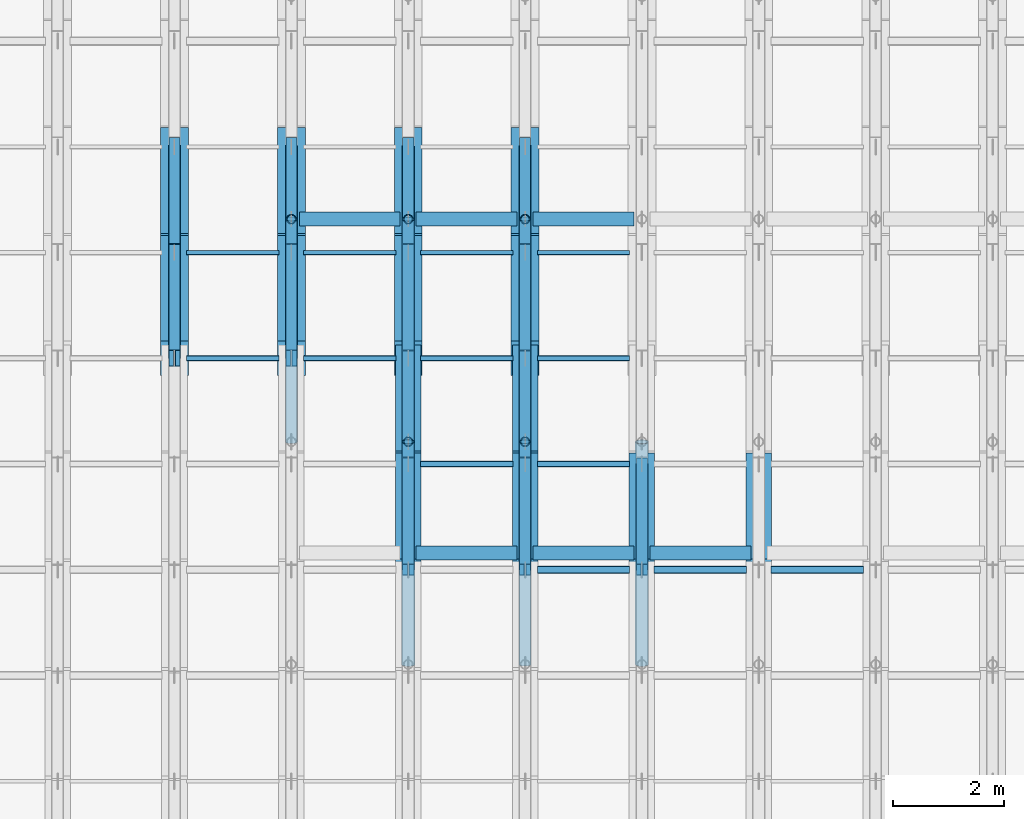
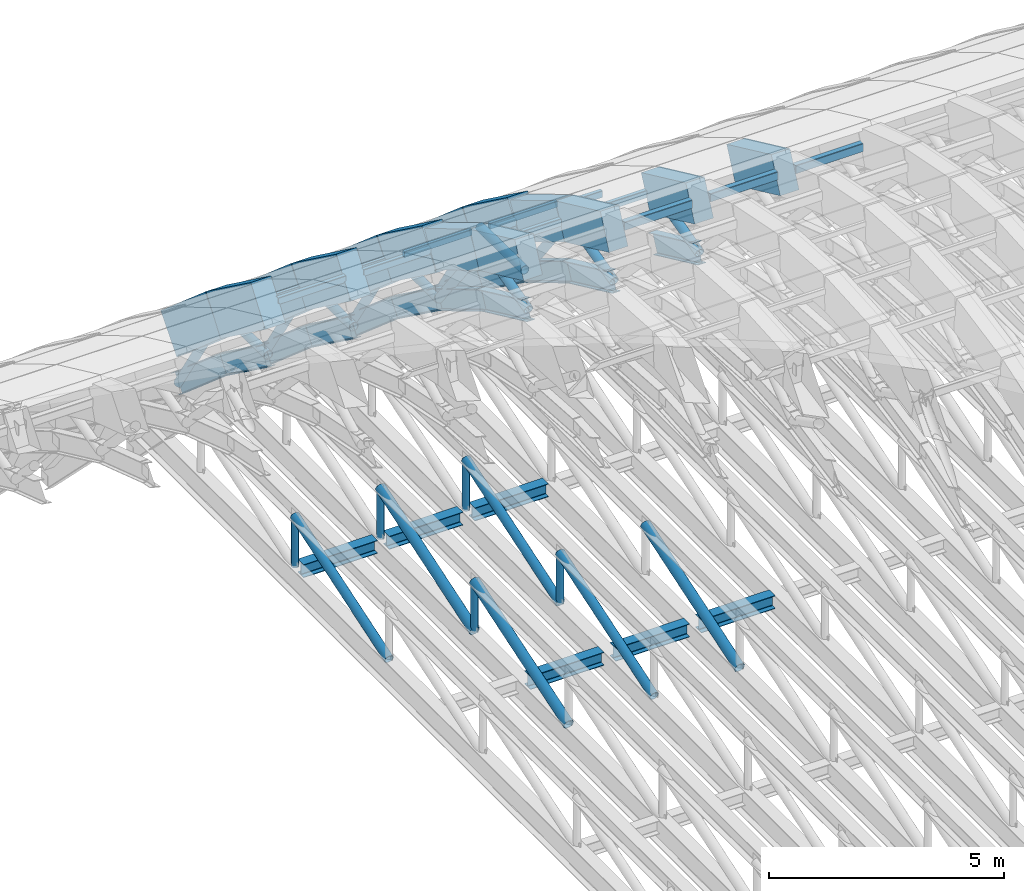
# One storey, part 29 of 67: 37 members, 33 beams.
"""IFC4 building model written with IfcOpenShell, lengths in metres."""

from ifc_helpers import new_model, si_unit, direction, frame, origin, origin_2d, place, context, subcontext, project, spatial, rectangle, hollow_rectangle, hollow_circle, i_section, extrude, material, material_profile, profile_set, type_object, element, save


model = new_model("IFC4")

# Units and contexts
model_context = context("Model", 3, precision=1e-05, world=origin(), true_north=direction((0.0, 1.0)))
body_context = subcontext(model_context, "Body", "Model", "MODEL_VIEW")
ifc_project = project(units=[si_unit("LENGTHUNIT", "METRE"), si_unit("AREAUNIT", "SQUARE_METRE"), si_unit("VOLUMEUNIT", "CUBIC_METRE"), si_unit("PLANEANGLEUNIT", "RADIAN"), si_unit("MASSUNIT", "GRAM", prefix="KILO")], contexts=[model_context])

# Site, building, storey
site_placement = place(None, origin())
site = spatial("IfcSite", under=ifc_project, at=site_placement, CompositionType="ELEMENT")
building_placement = place(site_placement, origin())
building = spatial("IfcBuilding", under=site, at=building_placement, Name="Shengluoqiao Park Theatre", CompositionType="ELEMENT")
storey_placement = place(building_placement, frame((0.0, 0.0, 28.60009765625)))
storey = spatial("IfcBuildingStorey", under=building, at=storey_placement, Name="Roof", CompositionType="ELEMENT", Elevation=28.60009765625)

# Beams
ifc_material_1 = material(Name="Concrete C50", Category="concrete")
ifc_material_profile_1 = material_profile(ifc_material_1, rectangle(XDim=0.4599609375, YDim=0.919921875, at=origin_2d()), Name="RC ARCH 460x920")
ifc_profile_set_1 = profile_set([ifc_material_profile_1], Name="Concrete C50")
beam_type_1 = type_object("IfcBeamType", Name="STR-BM-AR-4609", PredefinedType="BEAM", material=ifc_profile_set_1)
beam_1_placement = place(storey_placement, frame((65.39990234375, 100.699951171875, 1.44580078125), z_axis=(0.0, 0.907077318021, -0.420964059192), x_axis=(-1.0, 0.0, 0.0)))
element("IfcBeam", 1, at=beam_1_placement, inside=storey, type_object=beam_type_1, Name="Barrel-Shell Arch Rib R11-S14", PredefinedType="BEAM", context=body_context, shape_type="SweptSolid", body=[
    extrude(rectangle(XDim=0.4599609375, YDim=0.919921875, at=origin_2d()), origin(), (0.0, 0.0, 1.0), 2.0947265625),
])
beam_2_placement = place(storey_placement, frame((65.39990234375, 102.60009765625, 0.56396484375), z_axis=(0.0, 0.858668723557, -0.512530997292), x_axis=(-1.0, 0.0, 0.0)))
element("IfcBeam", 2, at=beam_2_placement, inside=storey, type_object=beam_type_1, Name="Barrel-Shell Arch Rib R11-S15", PredefinedType="BEAM", context=body_context, shape_type="SweptSolid", body=[
    extrude(rectangle(XDim=0.4599609375, YDim=0.919921875, at=origin_2d()), origin(), (0.0, 0.0, 1.0), 2.212646484375),
])
beam_3_placement = place(storey_placement, frame((67.5, 100.699951171875, 1.44580078125), z_axis=(0.0, 0.907077318021, -0.420964059192), x_axis=(-1.0, 0.0, 0.0)))
element("IfcBeam", 3, at=beam_3_placement, inside=storey, type_object=beam_type_1, Name="Barrel-Shell Arch Rib R12-S14", PredefinedType="BEAM", context=body_context, shape_type="SweptSolid", body=[
    extrude(rectangle(XDim=0.4599609375, YDim=0.919921875, at=origin_2d()), origin(), (0.0, 0.0, 1.0), 2.0947265625),
])
beam_4_placement = place(storey_placement, frame((67.5, 102.60009765625, 0.56396484375), z_axis=(0.0, 0.858668723557, -0.512530997292), x_axis=(-1.0, 0.0, 0.0)))
element("IfcBeam", 4, at=beam_4_placement, inside=storey, type_object=beam_type_1, Name="Barrel-Shell Arch Rib R12-S15", PredefinedType="BEAM", context=body_context, shape_type="SweptSolid", body=[
    extrude(rectangle(XDim=0.4599609375, YDim=0.919921875, at=origin_2d()), origin(), (0.0, 0.0, 1.0), 2.212646484375),
])
for number, where, z_axis, x_axis, name in (
    (5, (69.60009765625, 100.699951171875, 1.44580078125), (0.0, 0.907077318021, -0.420964059192), (-1.0, 0.0, 0.0), "Barrel-Shell Arch Rib R13-S14"),
    (6, (71.699951171875, 100.699951171875, 1.44580078125), (0.0, 0.907077318021, -0.420964059192), (-1.0, 0.0, 0.0), "Barrel-Shell Arch Rib R14-S14"),
):
    element("IfcBeam", number, at=place(storey_placement, frame(where, z_axis=z_axis, x_axis=x_axis)), inside=storey, type_object=beam_type_1, Name=name, PredefinedType="BEAM", context=body_context, shape_type="SweptSolid", body=[
        extrude(rectangle(XDim=0.4599609375, YDim=0.919921875, at=origin_2d()), origin(), (0.0, 0.0, 1.0), 2.0947265625),
    ])
ifc_material_profile_2 = material_profile(ifc_material_1, rectangle(XDim=0.5, YDim=1.050048828125, at=origin_2d()), Name="RC ARCH 500x1050")
ifc_profile_set_2 = profile_set([ifc_material_profile_2], Name="Concrete C50")
beam_type_2 = type_object("IfcBeamType", Name="STR-BM-AR-5010", PredefinedType="BEAM", material=ifc_profile_set_2)
beam_5_placement = place(storey_placement, frame((61.199951171875, 104.5, -0.570068359375), z_axis=(0.0, 0.807877780345, -0.589350058985), x_axis=(-1.0, 0.0, 0.0)))
element("IfcBeam", 7, at=beam_5_placement, inside=storey, type_object=beam_type_2, Name="Barrel-Shell Arch Rib R09-S16", PredefinedType="BEAM", context=body_context, shape_type="SweptSolid", body=[
    extrude(rectangle(XDim=0.5, YDim=1.050048828125, at=origin_2d()), origin(), (0.0, 0.0, 1.0), 2.351806640625),
])
beam_6_placement = place(storey_placement, frame((61.199951171875, 106.39990234375, -1.9560546875), z_axis=(0.0, 0.757433195517, -0.652912669757), x_axis=(-1.0, 0.0, 0.0)))
element("IfcBeam", 8, at=beam_6_placement, inside=storey, type_object=beam_type_2, Name="Barrel-Shell Arch Rib R09-S17", PredefinedType="BEAM", context=body_context, shape_type="SweptSolid", body=[
    extrude(rectangle(XDim=0.5, YDim=1.050048828125, at=origin_2d()), origin(), (0.0, 0.0, 1.0), 2.508544921875),
])
beam_7_placement = place(storey_placement, frame((63.300048828125, 104.5, -0.570068359375), z_axis=(0.0, 0.807877780345, -0.589350058985), x_axis=(-1.0, 0.0, 0.0)))
element("IfcBeam", 9, at=beam_7_placement, inside=storey, type_object=beam_type_2, Name="Barrel-Shell Arch Rib R10-S16", PredefinedType="BEAM", context=body_context, shape_type="SweptSolid", body=[
    extrude(rectangle(XDim=0.5, YDim=1.050048828125, at=origin_2d()), origin(), (0.0, 0.0, 1.0), 2.351806640625),
])
beam_8_placement = place(storey_placement, frame((63.300048828125, 106.39990234375, -1.9560546875), z_axis=(0.0, 0.757433195517, -0.652912669757), x_axis=(-1.0, 0.0, 0.0)))
element("IfcBeam", 10, at=beam_8_placement, inside=storey, type_object=beam_type_2, Name="Barrel-Shell Arch Rib R10-S17", PredefinedType="BEAM", context=body_context, shape_type="SweptSolid", body=[
    extrude(rectangle(XDim=0.5, YDim=1.050048828125, at=origin_2d()), origin(), (0.0, 0.0, 1.0), 2.508544921875),
])
beam_9_placement = place(storey_placement, frame((65.39990234375, 104.5, -0.570068359375), z_axis=(0.0, 0.807877780345, -0.589350058985), x_axis=(-1.0, 0.0, 0.0)))
element("IfcBeam", 11, at=beam_9_placement, inside=storey, type_object=beam_type_2, Name="Barrel-Shell Arch Rib R11-S16", PredefinedType="BEAM", context=body_context, shape_type="SweptSolid", body=[
    extrude(rectangle(XDim=0.5, YDim=1.050048828125, at=origin_2d()), origin(), (0.0, 0.0, 1.0), 2.351806640625),
])
beam_10_placement = place(storey_placement, frame((65.39990234375, 106.39990234375, -1.9560546875), z_axis=(0.0, 0.757433195517, -0.652912669757), x_axis=(-1.0, 0.0, 0.0)))
element("IfcBeam", 12, at=beam_10_placement, inside=storey, type_object=beam_type_2, Name="Barrel-Shell Arch Rib R11-S17", PredefinedType="BEAM", context=body_context, shape_type="SweptSolid", body=[
    extrude(rectangle(XDim=0.5, YDim=1.050048828125, at=origin_2d()), origin(), (0.0, 0.0, 1.0), 2.508544921875),
])
beam_11_placement = place(storey_placement, frame((67.5, 104.5, -0.570068359375), z_axis=(0.0, 0.807877780345, -0.589350058985), x_axis=(-1.0, 0.0, 0.0)))
element("IfcBeam", 13, at=beam_11_placement, inside=storey, type_object=beam_type_2, Name="Barrel-Shell Arch Rib R12-S16", PredefinedType="BEAM", context=body_context, shape_type="SweptSolid", body=[
    extrude(rectangle(XDim=0.5, YDim=1.050048828125, at=origin_2d()), origin(), (0.0, 0.0, 1.0), 2.351806640625),
])
beam_12_placement = place(storey_placement, frame((67.5, 106.39990234375, -1.9560546875), z_axis=(0.0, 0.757433195517, -0.652912669757), x_axis=(-1.0, 0.0, 0.0)))
element("IfcBeam", 14, at=beam_12_placement, inside=storey, type_object=beam_type_2, Name="Barrel-Shell Arch Rib R12-S17", PredefinedType="BEAM", context=body_context, shape_type="SweptSolid", body=[
    extrude(rectangle(XDim=0.5, YDim=1.050048828125, at=origin_2d()), origin(), (0.0, 0.0, 1.0), 2.508544921875),
])
ifc_material_2 = material(Name="Steel Q355", Category="steel")
ifc_material_profile_3 = material_profile(ifc_material_2, i_section(OverallWidth=0.25, OverallDepth=0.340087890625, WebThickness=0.009033203125, FlangeThickness=0.013916015625, FilletRadius=0.01611328125, at=origin_2d()), Name="HM 340x250x9x14")
ifc_profile_set_3 = profile_set([ifc_material_profile_3], Name="Steel Q355")
beam_type_3 = type_object("IfcBeamType", Name="STR-BM-G-HM340", PredefinedType="BEAM", material=ifc_profile_set_3)
for number, where, z_axis, x_axis, name in (
    (15, (63.444091796875, 107.0, -9.77001953125), (1.0, 0.0, 0.0), (0.0, 1.0, 0.0), "Auditorium Overhead Catwalk Girder R10-5"),
    (16, (65.5439453125, 101.0, -9.77001953125), (1.0, 0.0, 0.0), (0.0, 1.0, 0.0), "Auditorium Overhead Catwalk Girder R11-4"),
    (17, (65.5439453125, 107.0, -9.77001953125), (1.0, 0.0, 0.0), (0.0, 1.0, 0.0), "Auditorium Overhead Catwalk Girder R11-5"),
    (18, (67.64404296875, 101.0, -9.77001953125), (1.0, 0.0, 0.0), (0.0, 1.0, 0.0), "Auditorium Overhead Catwalk Girder R12-4"),
    (19, (67.64404296875, 107.0, -9.77001953125), (1.0, 0.0, 0.0), (0.0, 1.0, 0.0), "Auditorium Overhead Catwalk Girder R12-5"),
    (20, (69.743896484375, 101.0, -9.77001953125), (1.0, 0.0, 0.0), (0.0, 1.0, 0.0), "Auditorium Overhead Catwalk Girder R13-4"),
):
    element("IfcBeam", number, at=place(storey_placement, frame(where, z_axis=z_axis, x_axis=x_axis)), inside=storey, type_object=beam_type_3, Name=name, PredefinedType="BEAM", context=body_context, shape_type="SweptSolid", body=[
        extrude(i_section(OverallWidth=0.25, OverallDepth=0.340087890625, WebThickness=0.009033203125, FlangeThickness=0.013916015625, FilletRadius=0.01611328125, at=origin_2d()), origin(), (0.0, 0.0, 1.0), 1.81201171875),
    ])
ifc_material_profile_4 = material_profile(ifc_material_2, i_section(OverallWidth=0.199951171875, OverallDepth=0.5, WebThickness=0.010009765625, FlangeThickness=0.01611328125, FilletRadius=0.01806640625, at=origin_2d()), Name="HN 500x200x10x16")
ifc_profile_set_4 = profile_set([ifc_material_profile_4], Name="Steel Q355")
beam_type_4 = type_object("IfcBeamType", Name="STR-BM-J-HN500", PredefinedType="JOIST", material=ifc_profile_set_4)
beam_13_placement = place(storey_placement, frame((61.199951171875, 104.5, -1.93017578125), z_axis=(0.0, 0.807877780345, -0.589350058985), x_axis=(-1.0, 0.0, 0.0)))
element("IfcBeam", 21, at=beam_13_placement, inside=storey, type_object=beam_type_4, Name="Barrel-Shell Lower Arch Chord R09-S16", PredefinedType="JOIST", context=body_context, shape_type="SweptSolid", body=[
    extrude(i_section(OverallWidth=0.199951171875, OverallDepth=0.5, WebThickness=0.010009765625, FlangeThickness=0.01611328125, FilletRadius=0.01806640625, at=origin_2d()), origin(), (0.0, 0.0, 1.0), 2.351806640625),
])
beam_14_placement = place(storey_placement, frame((61.199951171875, 106.39990234375, -3.316162109375), z_axis=(0.0, 0.757433195517, -0.652912669757), x_axis=(-1.0, 0.0, 0.0)))
element("IfcBeam", 22, at=beam_14_placement, inside=storey, type_object=beam_type_4, Name="Barrel-Shell Lower Arch Chord R09-S17", PredefinedType="JOIST", context=body_context, shape_type="SweptSolid", body=[
    extrude(i_section(OverallWidth=0.199951171875, OverallDepth=0.5, WebThickness=0.010009765625, FlangeThickness=0.01611328125, FilletRadius=0.01806640625, at=origin_2d()), origin(), (0.0, 0.0, 1.0), 2.508544921875),
])
beam_15_placement = place(storey_placement, frame((63.300048828125, 104.5, -1.93017578125), z_axis=(0.0, 0.807877780345, -0.589350058985), x_axis=(-1.0, 0.0, 0.0)))
element("IfcBeam", 23, at=beam_15_placement, inside=storey, type_object=beam_type_4, Name="Barrel-Shell Lower Arch Chord R10-S16", PredefinedType="JOIST", context=body_context, shape_type="SweptSolid", body=[
    extrude(i_section(OverallWidth=0.199951171875, OverallDepth=0.5, WebThickness=0.010009765625, FlangeThickness=0.01611328125, FilletRadius=0.01806640625, at=origin_2d()), origin(), (0.0, 0.0, 1.0), 2.351806640625),
])
beam_16_placement = place(storey_placement, frame((63.300048828125, 106.39990234375, -3.316162109375), z_axis=(0.0, 0.757433195517, -0.652912669757), x_axis=(-1.0, 0.0, 0.0)))
element("IfcBeam", 24, at=beam_16_placement, inside=storey, type_object=beam_type_4, Name="Barrel-Shell Lower Arch Chord R10-S17", PredefinedType="JOIST", context=body_context, shape_type="SweptSolid", body=[
    extrude(i_section(OverallWidth=0.199951171875, OverallDepth=0.5, WebThickness=0.010009765625, FlangeThickness=0.01611328125, FilletRadius=0.01806640625, at=origin_2d()), origin(), (0.0, 0.0, 1.0), 2.508544921875),
])
beam_17_placement = place(storey_placement, frame((65.39990234375, 100.699951171875, 0.0859375), z_axis=(0.0, 0.907032812412, -0.421059944911), x_axis=(-1.0, 0.0, 0.0)))
element("IfcBeam", 25, at=beam_17_placement, inside=storey, type_object=beam_type_4, Name="Barrel-Shell Lower Arch Chord R11-S14", PredefinedType="JOIST", context=body_context, shape_type="SweptSolid", body=[
    extrude(i_section(OverallWidth=0.199951171875, OverallDepth=0.5, WebThickness=0.010009765625, FlangeThickness=0.01611328125, FilletRadius=0.01806640625, at=origin_2d()), origin(), (0.0, 0.0, 1.0), 2.094970703125),
])
beam_18_placement = place(storey_placement, frame((65.39990234375, 102.60009765625, -0.796142578125), z_axis=(0.0, 0.858668723557, -0.512530997292), x_axis=(-1.0, 0.0, 0.0)))
element("IfcBeam", 26, at=beam_18_placement, inside=storey, type_object=beam_type_4, Name="Barrel-Shell Lower Arch Chord R11-S15", PredefinedType="JOIST", context=body_context, shape_type="SweptSolid", body=[
    extrude(i_section(OverallWidth=0.199951171875, OverallDepth=0.5, WebThickness=0.010009765625, FlangeThickness=0.01611328125, FilletRadius=0.01806640625, at=origin_2d()), origin(), (0.0, 0.0, 1.0), 2.212646484375),
])
beam_19_placement = place(storey_placement, frame((65.39990234375, 104.5, -1.93017578125), z_axis=(0.0, 0.807877780345, -0.589350058985), x_axis=(-1.0, 0.0, 0.0)))
element("IfcBeam", 27, at=beam_19_placement, inside=storey, type_object=beam_type_4, Name="Barrel-Shell Lower Arch Chord R11-S16", PredefinedType="JOIST", context=body_context, shape_type="SweptSolid", body=[
    extrude(i_section(OverallWidth=0.199951171875, OverallDepth=0.5, WebThickness=0.010009765625, FlangeThickness=0.01611328125, FilletRadius=0.01806640625, at=origin_2d()), origin(), (0.0, 0.0, 1.0), 2.351806640625),
])
beam_20_placement = place(storey_placement, frame((65.39990234375, 106.39990234375, -3.316162109375), z_axis=(0.0, 0.757433195517, -0.652912669757), x_axis=(-1.0, 0.0, 0.0)))
element("IfcBeam", 28, at=beam_20_placement, inside=storey, type_object=beam_type_4, Name="Barrel-Shell Lower Arch Chord R11-S17", PredefinedType="JOIST", context=body_context, shape_type="SweptSolid", body=[
    extrude(i_section(OverallWidth=0.199951171875, OverallDepth=0.5, WebThickness=0.010009765625, FlangeThickness=0.01611328125, FilletRadius=0.01806640625, at=origin_2d()), origin(), (0.0, 0.0, 1.0), 2.508544921875),
])
beam_21_placement = place(storey_placement, frame((67.5, 100.699951171875, 0.0859375), z_axis=(0.0, 0.907032812412, -0.421059944911), x_axis=(-1.0, 0.0, 0.0)))
element("IfcBeam", 29, at=beam_21_placement, inside=storey, type_object=beam_type_4, Name="Barrel-Shell Lower Arch Chord R12-S14", PredefinedType="JOIST", context=body_context, shape_type="SweptSolid", body=[
    extrude(i_section(OverallWidth=0.199951171875, OverallDepth=0.5, WebThickness=0.010009765625, FlangeThickness=0.01611328125, FilletRadius=0.01806640625, at=origin_2d()), origin(), (0.0, 0.0, 1.0), 2.094970703125),
])
beam_22_placement = place(storey_placement, frame((67.5, 102.60009765625, -0.796142578125), z_axis=(0.0, 0.858668723557, -0.512530997292), x_axis=(-1.0, 0.0, 0.0)))
element("IfcBeam", 30, at=beam_22_placement, inside=storey, type_object=beam_type_4, Name="Barrel-Shell Lower Arch Chord R12-S15", PredefinedType="JOIST", context=body_context, shape_type="SweptSolid", body=[
    extrude(i_section(OverallWidth=0.199951171875, OverallDepth=0.5, WebThickness=0.010009765625, FlangeThickness=0.01611328125, FilletRadius=0.01806640625, at=origin_2d()), origin(), (0.0, 0.0, 1.0), 2.212646484375),
])
beam_23_placement = place(storey_placement, frame((67.5, 104.5, -1.93017578125), z_axis=(0.0, 0.807877780345, -0.589350058985), x_axis=(-1.0, 0.0, 0.0)))
element("IfcBeam", 31, at=beam_23_placement, inside=storey, type_object=beam_type_4, Name="Barrel-Shell Lower Arch Chord R12-S16", PredefinedType="JOIST", context=body_context, shape_type="SweptSolid", body=[
    extrude(i_section(OverallWidth=0.199951171875, OverallDepth=0.5, WebThickness=0.010009765625, FlangeThickness=0.01611328125, FilletRadius=0.01806640625, at=origin_2d()), origin(), (0.0, 0.0, 1.0), 2.351806640625),
])
beam_24_placement = place(storey_placement, frame((67.5, 106.39990234375, -3.316162109375), z_axis=(0.0, 0.757433195517, -0.652912669757), x_axis=(-1.0, 0.0, 0.0)))
element("IfcBeam", 32, at=beam_24_placement, inside=storey, type_object=beam_type_4, Name="Barrel-Shell Lower Arch Chord R12-S17", PredefinedType="JOIST", context=body_context, shape_type="SweptSolid", body=[
    extrude(i_section(OverallWidth=0.199951171875, OverallDepth=0.5, WebThickness=0.010009765625, FlangeThickness=0.01611328125, FilletRadius=0.01806640625, at=origin_2d()), origin(), (0.0, 0.0, 1.0), 2.508544921875),
])
beam_25_placement = place(storey_placement, frame((69.60009765625, 100.699951171875, 0.0859375), z_axis=(0.0, 0.907032812412, -0.421059944911), x_axis=(-1.0, 0.0, 0.0)))
element("IfcBeam", 33, at=beam_25_placement, inside=storey, type_object=beam_type_4, Name="Barrel-Shell Lower Arch Chord R13-S14", PredefinedType="JOIST", context=body_context, shape_type="SweptSolid", body=[
    extrude(i_section(OverallWidth=0.199951171875, OverallDepth=0.5, WebThickness=0.010009765625, FlangeThickness=0.01611328125, FilletRadius=0.01806640625, at=origin_2d()), origin(), (0.0, 0.0, 1.0), 2.094970703125),
])

# Members
ifc_material_profile_5 = material_profile(ifc_material_2, hollow_circle(Radius=0.109619140625, WallThickness=0.010009765625, at=origin_2d()), Name="CHS 219x10")
ifc_profile_set_5 = profile_set([ifc_material_profile_5], Name="Steel Q355")
member_type_1 = type_object("IfcMemberType", Name="STR-MEM-BRC-219", PredefinedType="BRACE", material=ifc_profile_set_5)
member_1_placement = place(storey_placement, frame((61.199951171875, 104.5, -1.93017578125), z_axis=(0.0, 0.999907244674, -0.013619913639), x_axis=(-1.0, 0.0, 0.0)))
element("IfcMember", 34, at=member_1_placement, inside=storey, type_object=member_type_1, Name="Barrel-Shell Arch Truss Web 0176", PredefinedType="BRACE", context=body_context, shape_type="SweptSolid", body=[
    extrude(hollow_circle(Radius=0.109619140625, WallThickness=0.010009765625, at=origin_2d()), origin(), (0.0, 0.0, 1.0), 1.900146484375),
])
member_2_placement = place(storey_placement, frame((61.199951171875, 106.39990234375, -1.9560546875), z_axis=(0.0, 0.535330234694, -0.844642847494), x_axis=(-1.0, 0.0, 0.0)))
element("IfcMember", 35, at=member_2_placement, inside=storey, type_object=member_type_1, Name="Barrel-Shell Arch Truss Web 0177", PredefinedType="BRACE", context=body_context, shape_type="SweptSolid", body=[
    extrude(hollow_circle(Radius=0.109619140625, WallThickness=0.010009765625, at=origin_2d()), origin(), (0.0, 0.0, 1.0), 3.549560546875),
])
member_3_placement = place(storey_placement, frame((63.300048828125, 104.5, -1.93017578125), z_axis=(0.0, 0.999907244674, -0.013619913639), x_axis=(-1.0, 0.0, 0.0)))
element("IfcMember", 36, at=member_3_placement, inside=storey, type_object=member_type_1, Name="Barrel-Shell Arch Truss Web 0196", PredefinedType="BRACE", context=body_context, shape_type="SweptSolid", body=[
    extrude(hollow_circle(Radius=0.109619140625, WallThickness=0.010009765625, at=origin_2d()), origin(), (0.0, 0.0, 1.0), 1.900146484375),
])
member_4_placement = place(storey_placement, frame((63.300048828125, 106.39990234375, -1.9560546875), z_axis=(0.0, 0.535330234694, -0.844642847494), x_axis=(-1.0, 0.0, 0.0)))
element("IfcMember", 37, at=member_4_placement, inside=storey, type_object=member_type_1, Name="Barrel-Shell Arch Truss Web 0197", PredefinedType="BRACE", context=body_context, shape_type="SweptSolid", body=[
    extrude(hollow_circle(Radius=0.109619140625, WallThickness=0.010009765625, at=origin_2d()), origin(), (0.0, 0.0, 1.0), 3.549560546875),
])
member_5_placement = place(storey_placement, frame((65.39990234375, 100.699951171875, 0.0859375), z_axis=(0.0, 0.96978228772, 0.243971954176), x_axis=(-1.0, 0.0, 0.0)))
element("IfcMember", 38, at=member_5_placement, inside=storey, type_object=member_type_1, Name="Barrel-Shell Arch Truss Web 0214", PredefinedType="BRACE", context=body_context, shape_type="SweptSolid", body=[
    extrude(hollow_circle(Radius=0.109619140625, WallThickness=0.010009765625, at=origin_2d()), origin(), (0.0, 0.0, 1.0), 1.95947265625),
])
member_6_placement = place(storey_placement, frame((65.39990234375, 102.60009765625, 0.56396484375), z_axis=(0.0, 0.605963445698, -0.795492490523), x_axis=(-1.0, 0.0, 0.0)))
element("IfcMember", 39, at=member_6_placement, inside=storey, type_object=member_type_1, Name="Barrel-Shell Arch Truss Web 0215", PredefinedType="BRACE", context=body_context, shape_type="SweptSolid", body=[
    extrude(hollow_circle(Radius=0.109619140625, WallThickness=0.010009765625, at=origin_2d()), origin(), (0.0, 0.0, 1.0), 3.13525390625),
])
member_7_placement = place(storey_placement, frame((65.39990234375, 104.5, -1.93017578125), z_axis=(0.0, 0.999907244674, -0.013619913639), x_axis=(-1.0, 0.0, 0.0)))
element("IfcMember", 40, at=member_7_placement, inside=storey, type_object=member_type_1, Name="Barrel-Shell Arch Truss Web 0216", PredefinedType="BRACE", context=body_context, shape_type="SweptSolid", body=[
    extrude(hollow_circle(Radius=0.109619140625, WallThickness=0.010009765625, at=origin_2d()), origin(), (0.0, 0.0, 1.0), 1.900146484375),
])
member_8_placement = place(storey_placement, frame((65.39990234375, 106.39990234375, -1.9560546875), z_axis=(0.0, 0.535330234694, -0.844642847494), x_axis=(-1.0, 0.0, 0.0)))
element("IfcMember", 41, at=member_8_placement, inside=storey, type_object=member_type_1, Name="Barrel-Shell Arch Truss Web 0217", PredefinedType="BRACE", context=body_context, shape_type="SweptSolid", body=[
    extrude(hollow_circle(Radius=0.109619140625, WallThickness=0.010009765625, at=origin_2d()), origin(), (0.0, 0.0, 1.0), 3.549560546875),
])
member_9_placement = place(storey_placement, frame((67.5, 100.699951171875, 0.0859375), z_axis=(0.0, 0.96978228772, 0.243971954176), x_axis=(-1.0, 0.0, 0.0)))
element("IfcMember", 42, at=member_9_placement, inside=storey, type_object=member_type_1, Name="Barrel-Shell Arch Truss Web 0234", PredefinedType="BRACE", context=body_context, shape_type="SweptSolid", body=[
    extrude(hollow_circle(Radius=0.109619140625, WallThickness=0.010009765625, at=origin_2d()), origin(), (0.0, 0.0, 1.0), 1.95947265625),
])
member_10_placement = place(storey_placement, frame((67.5, 102.60009765625, 0.56396484375), z_axis=(0.0, 0.605963445698, -0.795492490523), x_axis=(-1.0, 0.0, 0.0)))
element("IfcMember", 43, at=member_10_placement, inside=storey, type_object=member_type_1, Name="Barrel-Shell Arch Truss Web 0235", PredefinedType="BRACE", context=body_context, shape_type="SweptSolid", body=[
    extrude(hollow_circle(Radius=0.109619140625, WallThickness=0.010009765625, at=origin_2d()), origin(), (0.0, 0.0, 1.0), 3.13525390625),
])
member_11_placement = place(storey_placement, frame((67.5, 104.5, -1.93017578125), z_axis=(0.0, 0.999907244674, -0.013619913639), x_axis=(-1.0, 0.0, 0.0)))
element("IfcMember", 44, at=member_11_placement, inside=storey, type_object=member_type_1, Name="Barrel-Shell Arch Truss Web 0236", PredefinedType="BRACE", context=body_context, shape_type="SweptSolid", body=[
    extrude(hollow_circle(Radius=0.109619140625, WallThickness=0.010009765625, at=origin_2d()), origin(), (0.0, 0.0, 1.0), 1.900146484375),
])
member_12_placement = place(storey_placement, frame((67.5, 106.39990234375, -1.9560546875), z_axis=(0.0, 0.535330234694, -0.844642847494), x_axis=(-1.0, 0.0, 0.0)))
element("IfcMember", 45, at=member_12_placement, inside=storey, type_object=member_type_1, Name="Barrel-Shell Arch Truss Web 0237", PredefinedType="BRACE", context=body_context, shape_type="SweptSolid", body=[
    extrude(hollow_circle(Radius=0.109619140625, WallThickness=0.010009765625, at=origin_2d()), origin(), (0.0, 0.0, 1.0), 3.549560546875),
])
member_13_placement = place(storey_placement, frame((69.60009765625, 100.699951171875, 0.0859375), z_axis=(0.0, 0.96978228772, 0.243971954176), x_axis=(-1.0, 0.0, 0.0)))
element("IfcMember", 46, at=member_13_placement, inside=storey, type_object=member_type_1, Name="Barrel-Shell Arch Truss Web 0254", PredefinedType="BRACE", context=body_context, shape_type="SweptSolid", body=[
    extrude(hollow_circle(Radius=0.109619140625, WallThickness=0.010009765625, at=origin_2d()), origin(), (0.0, 0.0, 1.0), 1.95947265625),
])
for number, where, z_axis, x_axis, name in (
    (47, (63.300048828125, 103.0, -9.650146484375), (0.0, 0.951030656115, 0.309096572498), (-1.0, 0.0, 0.0), "Acoustic Tie Truss Diagonal 0016"),
    (48, (67.5, 99.0, -9.650146484375), (0.0, 0.951030656115, 0.309096572498), (-1.0, 0.0, 0.0), "Acoustic Tie Truss Diagonal 0049"),
    (49, (67.5, 103.0, -9.650146484375), (0.0, 0.951030656115, 0.309096572498), (-1.0, 0.0, 0.0), "Acoustic Tie Truss Diagonal 0050"),
):
    element("IfcMember", number, at=place(storey_placement, frame(where, z_axis=z_axis, x_axis=x_axis)), inside=storey, type_object=member_type_1, Name=name, PredefinedType="BRACE", context=body_context, shape_type="SweptSolid", body=[
        extrude(hollow_circle(Radius=0.109619140625, WallThickness=0.010009765625, at=origin_2d()), origin(), (0.0, 0.0, 1.0), 4.2060546875),
    ])
ifc_material_profile_6 = material_profile(ifc_material_2, hollow_circle(Radius=0.12255859375, WallThickness=0.010009765625, at=origin_2d()), Name="CHS 245x10")
ifc_profile_set_6 = profile_set([ifc_material_profile_6], Name="Steel Q355")
member_type_2 = type_object("IfcMemberType", Name="STR-MEM-BRC-245", PredefinedType="BRACE", material=ifc_profile_set_6)
for number, where, z_axis, x_axis, name in (
    (50, (65.39990234375, 99.0, -9.650146484375), (0.0, 0.951030656115, 0.309096572498), (-1.0, 0.0, 0.0), "Acoustic Tie Truss Diagonal 0032"),
    (51, (65.39990234375, 103.0, -9.650146484375), (0.0, 0.951030656115, 0.309096572498), (-1.0, 0.0, 0.0), "Acoustic Tie Truss Diagonal 0033"),
    (52, (69.60009765625, 99.0, -9.650146484375), (0.0, 0.951030656115, 0.309096572498), (-1.0, 0.0, 0.0), "Acoustic Tie Truss Diagonal 0066"),
):
    element("IfcMember", number, at=place(storey_placement, frame(where, z_axis=z_axis, x_axis=x_axis)), inside=storey, type_object=member_type_2, Name=name, PredefinedType="BRACE", context=body_context, shape_type="SweptSolid", body=[
        extrude(hollow_circle(Radius=0.12255859375, WallThickness=0.010009765625, at=origin_2d()), origin(), (0.0, 0.0, 1.0), 4.2060546875),
    ])
ifc_material_profile_7 = material_profile(ifc_material_2, hollow_rectangle(XDim=0.080078125, YDim=0.159912109375, WallThickness=0.006103515625, InnerFilletRadius=0.006103515625, OuterFilletRadius=0.011962890625, at=origin_2d()), Name="RHS 160x80x6")
ifc_profile_set_7 = profile_set([ifc_material_profile_7], Name="Steel Q355")
member_type_3 = type_object("IfcMemberType", Name="STR-MEM-PU-R160", PredefinedType="PURLIN", material=ifc_profile_set_7)
member_14_placement = place(storey_placement, frame((61.419921875, 106.39990234375, -2.006103515625), z_axis=(1.0, 0.0, 0.0), x_axis=(0.0, 1.0, 0.0)))
element("IfcMember", 53, at=member_14_placement, inside=storey, type_object=member_type_3, Name="Shell Longitudinal Purlin 0168", PredefinedType="PURLIN", context=body_context, shape_type="SweptSolid", body=[
    extrude(hollow_rectangle(XDim=0.080078125, YDim=0.159912109375, WallThickness=0.006103515625, InnerFilletRadius=0.006103515625, OuterFilletRadius=0.011962890625, at=origin_2d()), origin(), (0.0, 0.0, 1.0), 1.66015625),
])
for number, where, z_axis, x_axis, name in (
    (54, (63.52001953125, 106.39990234375, -2.006103515625), (1.0, 0.0, 0.0), (0.0, 1.0, 0.0), "Shell Longitudinal Purlin 0187"),
    (55, (65.6201171875, 106.39990234375, -2.006103515625), (1.0, 0.0, 0.0), (0.0, 1.0, 0.0), "Shell Longitudinal Purlin 0206"),
    (56, (67.719970703125, 106.39990234375, -2.006103515625), (1.0, 0.0, 0.0), (0.0, 1.0, 0.0), "Shell Longitudinal Purlin 0225"),
):
    element("IfcMember", number, at=place(storey_placement, frame(where, z_axis=z_axis, x_axis=x_axis)), inside=storey, type_object=member_type_3, Name=name, PredefinedType="PURLIN", context=body_context, shape_type="SweptSolid", body=[
        extrude(hollow_rectangle(XDim=0.080078125, YDim=0.159912109375, WallThickness=0.006103515625, InnerFilletRadius=0.006103515625, OuterFilletRadius=0.011962890625, at=origin_2d()), origin(), (0.0, 0.0, 1.0), 1.659912109375),
    ])
ifc_material_profile_8 = material_profile(ifc_material_2, hollow_rectangle(XDim=0.10009765625, YDim=0.179931640625, WallThickness=0.008056640625, InnerFilletRadius=0.008056640625, OuterFilletRadius=0.01611328125, at=origin_2d()), Name="RHS 180x100x8")
ifc_profile_set_8 = profile_set([ifc_material_profile_8], Name="Steel Q355")
member_type_4 = type_object("IfcMemberType", Name="STR-MEM-PU-R180", PredefinedType="PURLIN", material=ifc_profile_set_8)
member_15_placement = place(storey_placement, frame((61.419921875, 104.5, -0.590087890625), z_axis=(1.0, 0.0, 0.0), x_axis=(0.0, 1.0, 0.0)))
element("IfcMember", 57, at=member_15_placement, inside=storey, type_object=member_type_4, Name="Shell Longitudinal Purlin 0167", PredefinedType="PURLIN", context=body_context, shape_type="SweptSolid", body=[
    extrude(hollow_rectangle(XDim=0.10009765625, YDim=0.179931640625, WallThickness=0.008056640625, InnerFilletRadius=0.008056640625, OuterFilletRadius=0.01611328125, at=origin_2d()), origin(), (0.0, 0.0, 1.0), 1.66015625),
])
for number, where, z_axis, x_axis, name in (
    (58, (63.52001953125, 104.5, -0.590087890625), (1.0, 0.0, 0.0), (0.0, 1.0, 0.0), "Shell Longitudinal Purlin 0186"),
    (59, (65.6201171875, 104.5, -0.590087890625), (1.0, 0.0, 0.0), (0.0, 1.0, 0.0), "Shell Longitudinal Purlin 0205"),
    (60, (67.719970703125, 104.5, -0.590087890625), (1.0, 0.0, 0.0), (0.0, 1.0, 0.0), "Shell Longitudinal Purlin 0224"),
):
    element("IfcMember", number, at=place(storey_placement, frame(where, z_axis=z_axis, x_axis=x_axis)), inside=storey, type_object=member_type_4, Name=name, PredefinedType="PURLIN", context=body_context, shape_type="SweptSolid", body=[
        extrude(hollow_rectangle(XDim=0.10009765625, YDim=0.179931640625, WallThickness=0.008056640625, InnerFilletRadius=0.008056640625, OuterFilletRadius=0.01611328125, at=origin_2d()), origin(), (0.0, 0.0, 1.0), 1.659912109375),
    ])
ifc_material_profile_9 = material_profile(ifc_material_2, hollow_rectangle(XDim=0.10009765625, YDim=0.199951171875, WallThickness=0.008056640625, InnerFilletRadius=0.008056640625, OuterFilletRadius=0.01611328125, at=origin_2d()), Name="RHS 200x100x8")
ifc_profile_set_9 = profile_set([ifc_material_profile_9], Name="Steel Q355")
member_type_5 = type_object("IfcMemberType", Name="STR-MEM-PU-R200", PredefinedType="PURLIN", material=ifc_profile_set_9)
for number, where, z_axis, x_axis, name in (
    (61, (65.6201171875, 102.60009765625, 0.56396484375), (1.0, 0.0, 0.0), (0.0, 1.0, 0.0), "Shell Longitudinal Purlin 0204"),
    (62, (67.719970703125, 102.60009765625, 0.56396484375), (1.0, 0.0, 0.0), (0.0, 1.0, 0.0), "Shell Longitudinal Purlin 0223"),
):
    element("IfcMember", number, at=place(storey_placement, frame(where, z_axis=z_axis, x_axis=x_axis)), inside=storey, type_object=member_type_5, Name=name, PredefinedType="PURLIN", context=body_context, shape_type="SweptSolid", body=[
        extrude(hollow_rectangle(XDim=0.10009765625, YDim=0.199951171875, WallThickness=0.008056640625, InnerFilletRadius=0.008056640625, OuterFilletRadius=0.01611328125, at=origin_2d()), origin(), (0.0, 0.0, 1.0), 1.659912109375),
    ])
ifc_material_profile_10 = material_profile(ifc_material_2, hollow_rectangle(XDim=0.139892578125, YDim=0.219970703125, WallThickness=0.010009765625, InnerFilletRadius=0.010009765625, OuterFilletRadius=0.02001953125, at=origin_2d()), Name="RHS 220x140x10")
ifc_profile_set_10 = profile_set([ifc_material_profile_10], Name="Steel Q355")
member_type_6 = type_object("IfcMemberType", Name="STR-MEM-PU-R220", PredefinedType="PURLIN", material=ifc_profile_set_10)
for number, where, z_axis, x_axis, name in (
    (63, (67.719970703125, 100.699951171875, 1.4658203125), (1.0, 0.0, 0.0), (0.0, 1.0, 0.0), "Shell Longitudinal Purlin 0222"),
    (64, (69.820068359375, 100.699951171875, 1.4658203125), (1.0, 0.0, 0.0), (0.0, 1.0, 0.0), "Shell Longitudinal Purlin 0241"),
):
    element("IfcMember", number, at=place(storey_placement, frame(where, z_axis=z_axis, x_axis=x_axis)), inside=storey, type_object=member_type_6, Name=name, PredefinedType="PURLIN", context=body_context, shape_type="SweptSolid", body=[
        extrude(hollow_rectangle(XDim=0.139892578125, YDim=0.219970703125, WallThickness=0.010009765625, InnerFilletRadius=0.010009765625, OuterFilletRadius=0.02001953125, at=origin_2d()), origin(), (0.0, 0.0, 1.0), 1.659912109375),
    ])
member_16_placement = place(storey_placement, frame((71.919921875, 100.699951171875, 1.4658203125), z_axis=(1.0, 0.0, 0.0), x_axis=(0.0, 1.0, 0.0)))
element("IfcMember", 65, at=member_16_placement, inside=storey, type_object=member_type_6, Name="Shell Longitudinal Purlin 0260", PredefinedType="PURLIN", context=body_context, shape_type="SweptSolid", body=[
    extrude(hollow_rectangle(XDim=0.139892578125, YDim=0.219970703125, WallThickness=0.010009765625, InnerFilletRadius=0.010009765625, OuterFilletRadius=0.02001953125, at=origin_2d()), origin(), (0.0, 0.0, 1.0), 1.66015625),
])
ifc_material_profile_11 = material_profile(ifc_material_2, hollow_circle(Radius=0.083984375, WallThickness=0.008056640625, at=origin_2d()), Name="CHS 168x8")
ifc_profile_set_11 = profile_set([ifc_material_profile_11], Name="Steel Q355")
member_type_7 = type_object("IfcMemberType", Name="STR-MEM-STC-168", PredefinedType="STRUT", material=ifc_profile_set_11)
for number, where, z_axis, x_axis, name in (
    (66, (63.300048828125, 107.0, -9.650146484375), (0.0, 0.0, 1.0), (1.0, 0.0, 0.0), "Acoustic Tie Truss Strut 0008"),
    (67, (65.39990234375, 103.0, -9.650146484375), (0.0, 0.0, 1.0), (1.0, 0.0, 0.0), "Acoustic Tie Truss Strut 0024"),
    (68, (65.39990234375, 107.0, -9.650146484375), (0.0, 0.0, 1.0), (1.0, 0.0, 0.0), "Acoustic Tie Truss Strut 0025"),
    (69, (67.5, 103.0, -9.650146484375), (0.0, 0.0, 1.0), (1.0, 0.0, 0.0), "Acoustic Tie Truss Strut 0041"),
    (70, (67.5, 107.0, -9.650146484375), (0.0, 0.0, 1.0), (1.0, 0.0, 0.0), "Acoustic Tie Truss Strut 0042"),
):
    element("IfcMember", number, at=place(storey_placement, frame(where, z_axis=z_axis, x_axis=x_axis)), inside=storey, type_object=member_type_7, Name=name, PredefinedType="STRUT", context=body_context, shape_type="SweptSolid", body=[
        extrude(hollow_circle(Radius=0.083984375, WallThickness=0.008056640625, at=origin_2d()), origin(), (0.0, 0.0, 1.0), 1.300048828125),
    ])

save(model, "model.ifc")
